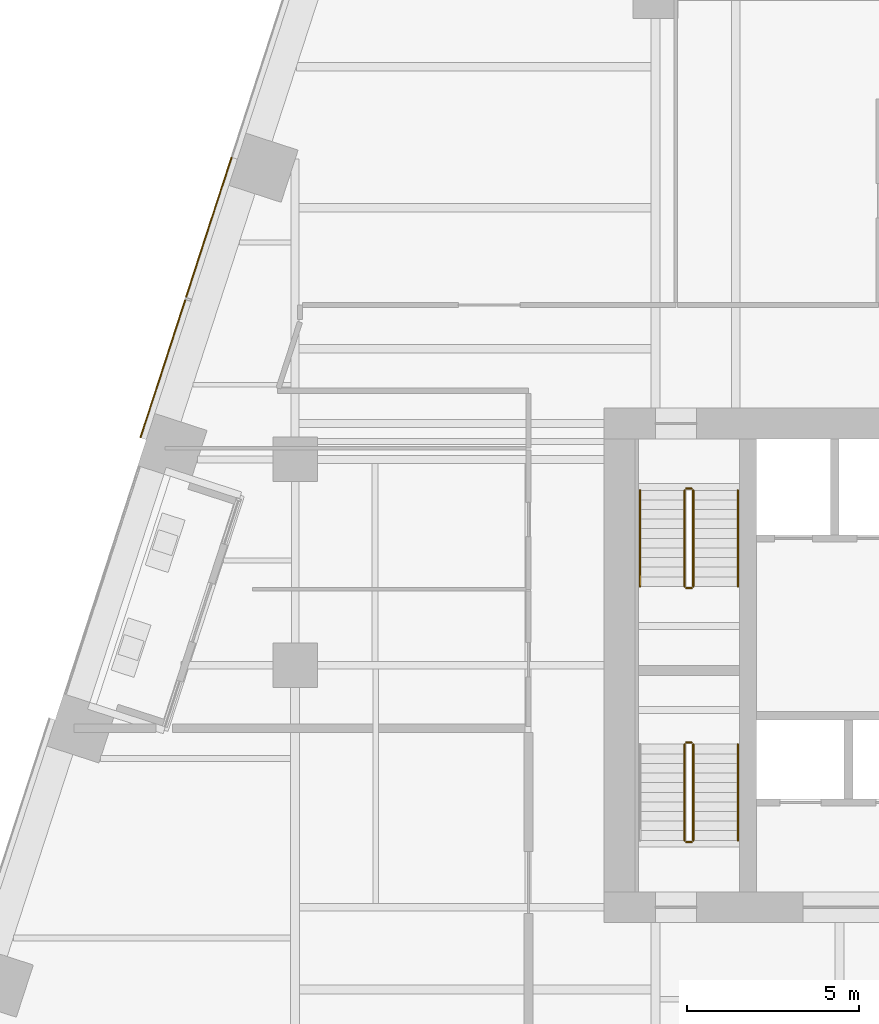
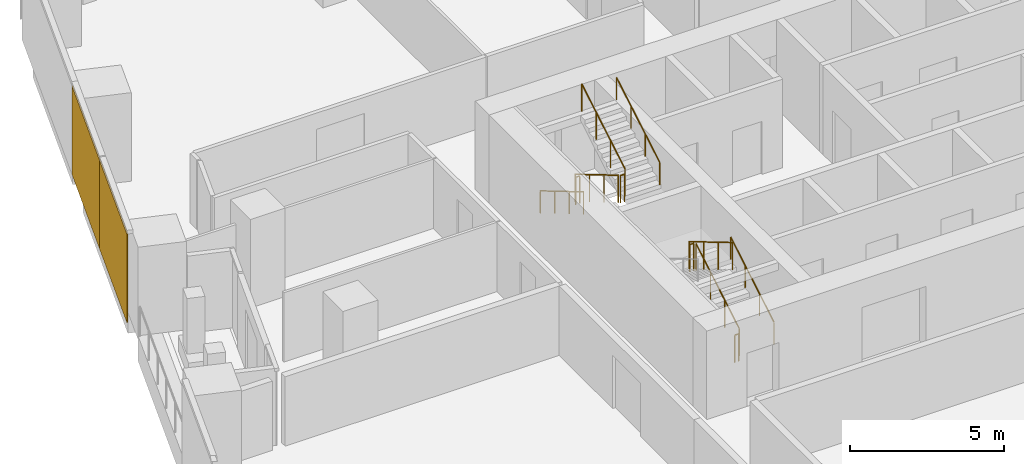
# One storey, part 25 of 28: 11 railings, 2 coverings, 1 element without a shape of its own.
"""IFC4 building model written with IfcOpenShell, lengths in metres."""

from ifc_helpers import new_model, si_unit, direction, frame, origin, origin_2d, place, context, subcontext, project, spatial, rectangle, circle, extrude, material, layer, layer_set, type_object, element, aggregate, save


model = new_model("IFC4")

# Units and contexts
model_context = context("Model", 3, precision=1e-05, world=origin(), true_north=direction((0.0, 1.0)))
body_context = subcontext(model_context, "Body", "Model", "MODEL_VIEW")
ifc_project = project(units=[si_unit("LENGTHUNIT", "METRE"), si_unit("AREAUNIT", "SQUARE_METRE"), si_unit("VOLUMEUNIT", "CUBIC_METRE"), si_unit("PLANEANGLEUNIT", "RADIAN"), si_unit("MASSUNIT", "GRAM", prefix="KILO")], contexts=[model_context])

# Site, building, storey
site_placement = place(None, origin())
site = spatial("IfcSite", under=ifc_project, at=site_placement, CompositionType="ELEMENT")
building_placement = place(site_placement, origin())
building = spatial("IfcBuilding", under=site, at=building_placement, Name="Isthmus Gate Tower", CompositionType="ELEMENT")
storey_placement = place(building_placement, frame((0.0, 0.0, 98.89990234375)))
storey = spatial("IfcBuildingStorey", under=building, at=storey_placement, Name="L23", CompositionType="ELEMENT", Elevation=98.89990234375)

# Curtain wall, coverings
ifc_material_1 = material(Name="Aluminium, pale champagne anodised", Category="aluminium")
ifc_layer_1 = layer(ifc_material_1, 0.199951171875)
ifc_layer_set_1 = layer_set([ifc_layer_1], Name="CW-1 UNITISED CURTAIN WALL 200 DEEP")
curtain_wall_type = type_object("IfcCurtainWallType", Name="CW-1 UNITISED CURTAIN WALL 200 DEEP", PredefinedType="NOTDEFINED", material=ifc_layer_set_1)
curtain_wall_placement = place(storey_placement, origin())
curtain_wall = element("IfcCurtainWall", 1, at=curtain_wall_placement, inside=storey, type_object=curtain_wall_type, Name="CW-1 NW L23", PredefinedType="NOTDEFINED")
ifc_material_2 = material(Name="Aluminium composite panel, pale champagne anodised", Category="aluminium")
ifc_layer_2 = layer(ifc_material_2, 0.0400390625)
ifc_layer_set_2 = layer_set([ifc_layer_2], Name="CW-1 PALE METAL PANEL 40")
covering_type = type_object("IfcCoveringType", Name="CW-1 PALE METAL PANEL 40", PredefinedType="CLADDING", material=ifc_layer_set_2)
covering_1_placement = place(storey_placement, frame((-26.51806640625, 20.25927734375, 0.0), z_axis=(0.0, 0.0, 1.0), x_axis=(-0.309016994375, -0.951056516295, 0.0)))
covering_1 = element("IfcCovering", 2, at=covering_1_placement, type_object=covering_type, Name="CW-1 pale metal panel", PredefinedType="CLADDING", context=body_context, shape_type="SweptSolid", body=[
    extrude(rectangle(XDim=4.294677734375, YDim=0.0400390625, at=origin_2d()), origin(), (0.0, 0.0, 1.0), 3.5),
])
covering_2_placement = place(storey_placement, frame((-27.8544921875, 16.146484375, 0.0), z_axis=(0.0, 0.0, 1.0), x_axis=(-0.309016994375, -0.951056516295, 0.0)))
covering_2 = element("IfcCovering", 3, at=covering_2_placement, type_object=covering_type, Name="CW-1 pale metal panel", PredefinedType="CLADDING", context=body_context, shape_type="SweptSolid", body=[
    extrude(rectangle(XDim=4.234619140625, YDim=0.0400390625, at=origin_2d()), origin(), (0.0, 0.0, 1.0), 3.5),
])
aggregate(curtain_wall, [covering_1, covering_2])

# Railings
ifc_material_3 = material(Name="Stainless steel balustrade", Category="steel")
railing_type_1 = type_object("IfcRailingType", Name="STAIR GUARD 1100", PredefinedType="GUARDRAIL", material=ifc_material_3)
railing_1_placement = place(storey_placement, frame((-12.64990234375, 12.60009765625, 0.166015625)))
element("IfcRailing", 4, at=railing_1_placement, inside=storey, type_object=railing_type_1, Name="L23 ST1 stair guard 1", PredefinedType="GUARDRAIL", context=body_context, shape_type="SweptSolid", body=[
    extrude(circle(Radius=0.02392578125, at=origin_2d()), frame((0.0, 0.0, 1.076171875), z_axis=(0.0, -0.860306154799, 0.50977771628), x_axis=(1.0, 0.0, 0.0)), (0.0, 0.0, 1.0), 3.254638671875),
    extrude(circle(Radius=0.02099609375, at=origin_2d()), origin(), (0.0, 0.0, 1.0), 1.052001953125),
    extrude(circle(Radius=0.02099609375, at=origin_2d()), frame((0.0, -0.933349609375, 0.552978515625)), (0.0, 0.0, 1.0), 1.052001953125),
    extrude(circle(Radius=0.02099609375, at=origin_2d()), frame((0.0, -1.86669921875, 1.106201171875)), (0.0, 0.0, 1.0), 1.052001953125),
    extrude(circle(Radius=0.02099609375, at=origin_2d()), frame((0.0, -2.800048828125, 1.6591796875)), (0.0, 0.0, 1.0), 1.052001953125),
])
railing_2_placement = place(storey_placement, frame((-12.60009765625, 9.75, 1.8251953125)))
element("IfcRailing", 5, at=railing_2_placement, inside=storey, type_object=railing_type_1, Name="L23 ST1 stair guard 2", PredefinedType="GUARDRAIL", context=body_context, shape_type="SweptSolid", body=[
    extrude(circle(Radius=0.02392578125, at=origin_2d()), frame((0.0, 0.0, 1.076171875), z_axis=(1.0, 0.0, 0.0), x_axis=(0.0, 1.0, 0.0)), (0.0, 0.0, 1.0), 0.150146484375),
    extrude(circle(Radius=0.02099609375, at=origin_2d()), origin(), (0.0, 0.0, 1.0), 1.052001953125),
    extrude(circle(Radius=0.02099609375, at=origin_2d()), frame((0.150146484375, 0.0, 0.0)), (0.0, 0.0, 1.0), 1.052001953125),
])
railing_3_placement = place(storey_placement, frame((-12.39990234375, 9.800048828125, 1.990966796875)))
element("IfcRailing", 6, at=railing_3_placement, inside=storey, type_object=railing_type_1, Name="L23 ST1 stair guard 3", PredefinedType="GUARDRAIL", context=body_context, shape_type="SweptSolid", body=[
    extrude(circle(Radius=0.02392578125, at=origin_2d()), frame((0.0, 0.0, 1.076171875), z_axis=(0.0, 0.860306154799, 0.50977771628), x_axis=(-1.0, 0.0, 0.0)), (0.0, 0.0, 1.0), 3.254638671875),
    extrude(circle(Radius=0.02099609375, at=origin_2d()), origin(), (0.0, 0.0, 1.0), 1.052001953125),
    extrude(circle(Radius=0.02099609375, at=origin_2d()), frame((0.0, 0.933349609375, 0.552978515625)), (0.0, 0.0, 1.0), 1.052001953125),
    extrude(circle(Radius=0.02099609375, at=origin_2d()), frame((0.0, 1.86669921875, 1.106201171875)), (0.0, 0.0, 1.0), 1.052001953125),
    extrude(circle(Radius=0.02099609375, at=origin_2d()), frame((0.0, 2.800048828125, 1.6591796875)), (0.0, 0.0, 1.0), 1.052001953125),
])
railing_4_placement = place(storey_placement, frame((-12.60009765625, 12.64990234375, 0.0)))
element("IfcRailing", 7, at=railing_4_placement, inside=storey, type_object=railing_type_1, Name="L23 ST1 stair guard 4", PredefinedType="GUARDRAIL", context=body_context, shape_type="SweptSolid", body=[
    extrude(circle(Radius=0.02392578125, at=origin_2d()), frame((0.0, 0.0, 1.076171875), z_axis=(1.0, 0.0, 0.0), x_axis=(0.0, 1.0, 0.0)), (0.0, 0.0, 1.0), 0.150146484375),
    extrude(circle(Radius=0.02099609375, at=origin_2d()), origin(), (0.0, 0.0, 1.0), 1.052001953125),
    extrude(circle(Radius=0.02099609375, at=origin_2d()), frame((0.150146484375, 0.0, 0.0)), (0.0, 0.0, 1.0), 1.052001953125),
])
railing_5_placement = place(storey_placement, frame((-12.39990234375, 2.39990234375, 0.166015625)))
element("IfcRailing", 8, at=railing_5_placement, inside=storey, type_object=railing_type_1, Name="L23 ST7 stair guard 1", PredefinedType="GUARDRAIL", context=body_context, shape_type="SweptSolid", body=[
    extrude(circle(Radius=0.02392578125, at=origin_2d()), frame((0.0, 0.0, 1.076171875), z_axis=(0.0, 0.860306154799, 0.50977771628), x_axis=(-1.0, 0.0, 0.0)), (0.0, 0.0, 1.0), 3.254638671875),
    extrude(circle(Radius=0.02099609375, at=origin_2d()), origin(), (0.0, 0.0, 1.0), 1.052001953125),
    extrude(circle(Radius=0.02099609375, at=origin_2d()), frame((0.0, 0.933349609375, 0.552978515625)), (0.0, 0.0, 1.0), 1.052001953125),
    extrude(circle(Radius=0.02099609375, at=origin_2d()), frame((0.0, 1.86669921875, 1.106201171875)), (0.0, 0.0, 1.0), 1.052001953125),
    extrude(circle(Radius=0.02099609375, at=origin_2d()), frame((0.0, 2.800048828125, 1.6591796875)), (0.0, 0.0, 1.0), 1.052001953125),
])
railing_6_placement = place(storey_placement, frame((-12.449951171875, 5.25, 1.8251953125)))
element("IfcRailing", 9, at=railing_6_placement, inside=storey, type_object=railing_type_1, Name="L23 ST7 stair guard 2", PredefinedType="GUARDRAIL", context=body_context, shape_type="SweptSolid", body=[
    extrude(circle(Radius=0.02392578125, at=origin_2d()), frame((0.0, 0.0, 1.076171875), z_axis=(-1.0, 0.0, 0.0), x_axis=(0.0, -1.0, 0.0)), (0.0, 0.0, 1.0), 0.150146484375),
    extrude(circle(Radius=0.02099609375, at=origin_2d()), origin(), (0.0, 0.0, 1.0), 1.052001953125),
    extrude(circle(Radius=0.02099609375, at=origin_2d()), frame((-0.150146484375, 0.0, 0.0)), (0.0, 0.0, 1.0), 1.052001953125),
])
railing_7_placement = place(storey_placement, frame((-12.64990234375, 5.199951171875, 1.990966796875)))
element("IfcRailing", 10, at=railing_7_placement, inside=storey, type_object=railing_type_1, Name="L23 ST7 stair guard 3", PredefinedType="GUARDRAIL", context=body_context, shape_type="SweptSolid", body=[
    extrude(circle(Radius=0.02392578125, at=origin_2d()), frame((0.0, 0.0, 1.076171875), z_axis=(0.0, -0.860306154799, 0.50977771628), x_axis=(1.0, 0.0, 0.0)), (0.0, 0.0, 1.0), 3.254638671875),
    extrude(circle(Radius=0.02099609375, at=origin_2d()), origin(), (0.0, 0.0, 1.0), 1.052001953125),
    extrude(circle(Radius=0.02099609375, at=origin_2d()), frame((0.0, -0.933349609375, 0.552978515625)), (0.0, 0.0, 1.0), 1.052001953125),
    extrude(circle(Radius=0.02099609375, at=origin_2d()), frame((0.0, -1.86669921875, 1.106201171875)), (0.0, 0.0, 1.0), 1.052001953125),
    extrude(circle(Radius=0.02099609375, at=origin_2d()), frame((0.0, -2.800048828125, 1.6591796875)), (0.0, 0.0, 1.0), 1.052001953125),
])
railing_8_placement = place(storey_placement, frame((-12.449951171875, 2.35009765625, 0.0)))
element("IfcRailing", 11, at=railing_8_placement, inside=storey, type_object=railing_type_1, Name="L23 ST7 stair guard 4", PredefinedType="GUARDRAIL", context=body_context, shape_type="SweptSolid", body=[
    extrude(circle(Radius=0.02392578125, at=origin_2d()), frame((0.0, 0.0, 1.076171875), z_axis=(-1.0, 0.0, 0.0), x_axis=(0.0, -1.0, 0.0)), (0.0, 0.0, 1.0), 0.150146484375),
    extrude(circle(Radius=0.02099609375, at=origin_2d()), origin(), (0.0, 0.0, 1.0), 1.052001953125),
    extrude(circle(Radius=0.02099609375, at=origin_2d()), frame((-0.150146484375, 0.0, 0.0)), (0.0, 0.0, 1.0), 1.052001953125),
])
ifc_material_4 = material(Name="Stainless steel handrail", Category="steel")
railing_type_2 = type_object("IfcRailingType", Name="STAIR HANDRAIL 900", PredefinedType="HANDRAIL", material=ifc_material_4)
railing_9_placement = place(storey_placement, frame((-13.949951171875, 12.60009765625, 0.166015625)))
element("IfcRailing", 12, at=railing_9_placement, inside=storey, type_object=railing_type_2, Name="L23 ST1 stair handrail 1", PredefinedType="HANDRAIL", context=body_context, shape_type="SweptSolid", body=[
    extrude(circle(Radius=0.02392578125, at=origin_2d()), frame((0.0, 0.0, 0.8759765625), z_axis=(0.0, -0.860306154799, 0.50977771628), x_axis=(1.0, 0.0, 0.0)), (0.0, 0.0, 1.0), 3.254638671875),
    extrude(circle(Radius=0.02099609375, at=origin_2d()), origin(), (0.0, 0.0, 1.0), 0.851806640625),
    extrude(circle(Radius=0.02099609375, at=origin_2d()), frame((0.0, -0.933349609375, 0.552978515625)), (0.0, 0.0, 1.0), 0.851806640625),
    extrude(circle(Radius=0.02099609375, at=origin_2d()), frame((0.0, -1.86669921875, 1.106201171875)), (0.0, 0.0, 1.0), 0.851806640625),
    extrude(circle(Radius=0.02099609375, at=origin_2d()), frame((0.0, -2.800048828125, 1.6591796875)), (0.0, 0.0, 1.0), 0.851806640625),
])
for number, where, name in (
    (13, (-11.10009765625, 9.800048828125, 1.990966796875), "L23 ST1 stair handrail 2"),
    (14, (-11.10009765625, 2.39990234375, 0.166015625), "L23 ST7 stair handrail 1"),
):
    element("IfcRailing", number, at=place(storey_placement, frame(where)), inside=storey, type_object=railing_type_2, Name=name, PredefinedType="HANDRAIL", context=body_context, shape_type="SweptSolid", body=[
        extrude(circle(Radius=0.02392578125, at=origin_2d()), frame((0.0, 0.0, 0.8759765625), z_axis=(0.0, 0.860306154799, 0.50977771628), x_axis=(-1.0, 0.0, 0.0)), (0.0, 0.0, 1.0), 3.254638671875),
        extrude(circle(Radius=0.02099609375, at=origin_2d()), origin(), (0.0, 0.0, 1.0), 0.851806640625),
        extrude(circle(Radius=0.02099609375, at=origin_2d()), frame((0.0, 0.933349609375, 0.552978515625)), (0.0, 0.0, 1.0), 0.851806640625),
        extrude(circle(Radius=0.02099609375, at=origin_2d()), frame((0.0, 1.86669921875, 1.106201171875)), (0.0, 0.0, 1.0), 0.851806640625),
        extrude(circle(Radius=0.02099609375, at=origin_2d()), frame((0.0, 2.800048828125, 1.6591796875)), (0.0, 0.0, 1.0), 0.851806640625),
    ])

save(model, "model.ifc")
